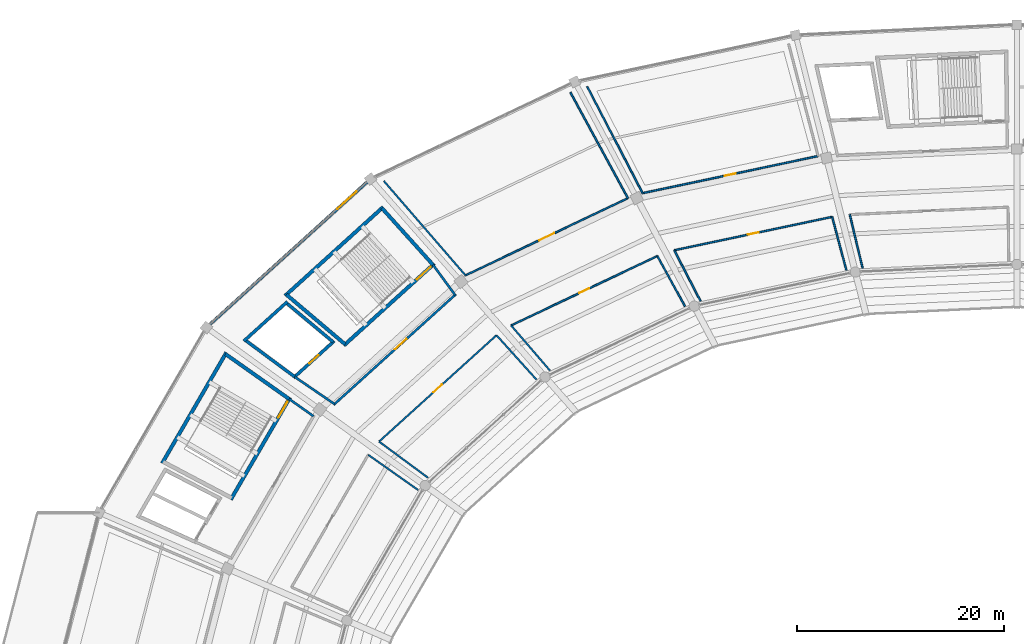
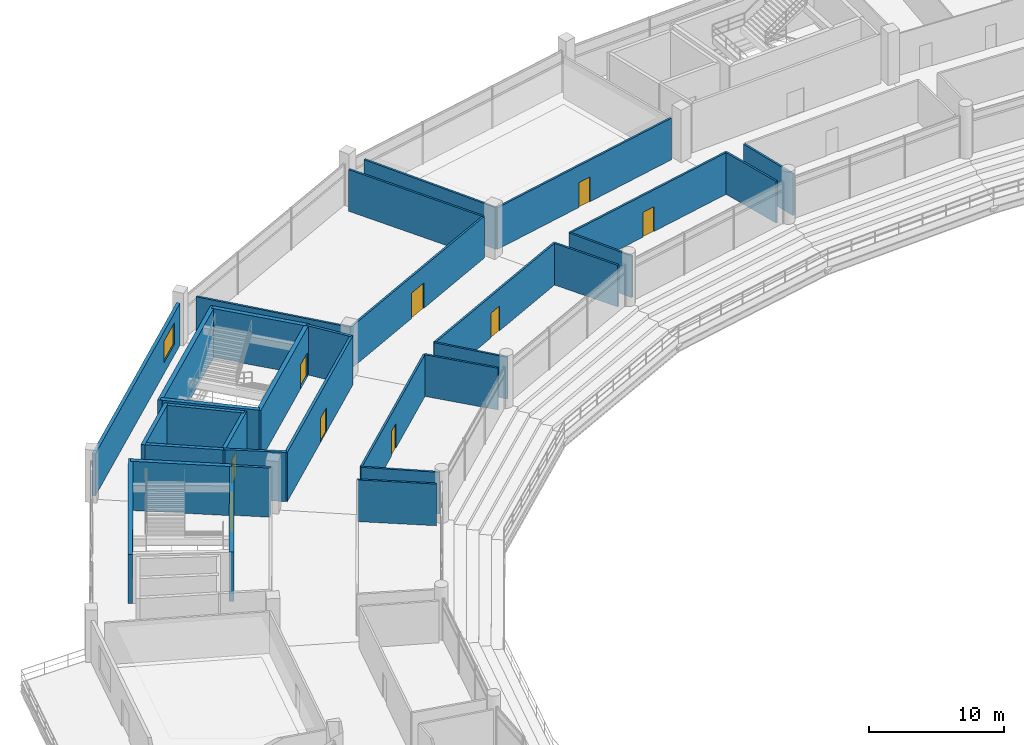
# One storey, part 136 of 171: 32 walls, 9 doors, 1 window, 10 openings.
"""IFC4 building model written with IfcOpenShell, lengths in metres."""

import ifcopenshell
import ifcopenshell.guid

model = None  # the IFC model being written
_history = None  # IfcOwnerHistory: only IFC2X3 demands one
_inside = {}  # id of a spatial element -> (the spatial element, [elements in it])
_under = {}  # id of a project, library or spatial element -> (it, [spatial elements below it])
_declared = {}  # id of a project -> (the project, [libraries it declares])
_typed = {}  # id of a type object -> (the type object, [elements of that type])
_made_of = {}  # id of a material, layer set ... -> (it, [elements and type objects made of it])


def new_model(schema):
    """Start an empty IFC model of exactly this schema.

    Asked for "IFC4X3", IfcOpenShell would pick the latest addendum, in which some entities
    have other attributes; the version numbers below select the first issue.
    IFC2X3 requires an IfcOwnerHistory on every rooted entity: one is made here for all.
    """
    global model, _history
    if schema == "IFC4X3":
        model = ifcopenshell.file(schema_version=(4, 3, 0, 0))
    else:
        model = ifcopenshell.file(schema=schema)
    _inside.clear()
    _under.clear()
    _declared.clear()
    _typed.clear()
    _made_of.clear()
    _history = None
    if model.schema == "IFC2X3":
        org = make("IfcOrganization", Name="unknown")
        user = make(
            "IfcPersonAndOrganization",
            ThePerson=make("IfcPerson", FamilyName="unknown"),
            TheOrganization=org,
        )
        app = make(
            "IfcApplication",
            ApplicationDeveloper=org,
            Version="unknown",
            ApplicationFullName="unknown",
            ApplicationIdentifier="unknown",
        )
        _history = make(
            "IfcOwnerHistory",
            OwningUser=user,
            OwningApplication=app,
            ChangeAction="ADDED",
            CreationDate=0,
        )
    return model


def make(cls, **values):
    """One entity of the class cls with the attributes given. An attribute that is None is left unset."""
    return model.create_entity(
        cls, **{name: value for name, value in values.items() if value is not None}
    )


def rooted(cls, **values):
    """An entity with a GlobalId (a new one), such as an element, a storey or a relation."""
    return make(cls, GlobalId=ifcopenshell.guid.new(), OwnerHistory=_history, **values)


def si_unit(unit_type, name, prefix=None):
    """IfcSIUnit, for example si_unit("LENGTHUNIT", "METRE", prefix="MILLI")."""
    return make("IfcSIUnit", UnitType=unit_type, Prefix=prefix, Name=name)


def assignment(units):
    """IfcUnitAssignment: the units of a project."""
    return None if units is None else make("IfcUnitAssignment", Units=units)


def point(xyz):
    """IfcCartesianPoint."""
    return None if xyz is None else make("IfcCartesianPoint", Coordinates=xyz)


def direction(xyz):
    """IfcDirection."""
    return None if xyz is None else make("IfcDirection", DirectionRatios=xyz)


def frame(location, z_axis=None, x_axis=None):
    """IfcAxis2Placement3D, a coordinate frame: its origin and axes. An axis left out is left unset."""
    return make(
        "IfcAxis2Placement3D",
        Location=point(location),
        Axis=direction(z_axis),
        RefDirection=direction(x_axis),
    )


def frame_2d(location, x_axis=None):
    """IfcAxis2Placement2D, a coordinate frame in the plane: its origin and x axis."""
    return make(
        "IfcAxis2Placement2D", Location=point(location), RefDirection=direction(x_axis)
    )


def origin():
    """The frame at (0, 0, 0) with its axes left unset."""
    return frame((0.0, 0.0, 0.0))


def place(relative_to, where):
    """IfcLocalPlacement: puts the frame where relative to a parent placement (None: the world)."""
    return make(
        "IfcLocalPlacement", PlacementRelTo=relative_to, RelativePlacement=where
    )


def context(
    kind, dimensions, precision=None, world=None, true_north=None, identifier=None
):
    """IfcGeometricRepresentationContext, for example the 3D "Model" context."""
    return make(
        "IfcGeometricRepresentationContext",
        ContextIdentifier=identifier,
        ContextType=kind,
        CoordinateSpaceDimension=dimensions,
        Precision=precision,
        WorldCoordinateSystem=world,
        TrueNorth=true_north,
    )


def subcontext(parent, identifier, kind, view, scale=None):
    """IfcGeometricRepresentationSubContext, for example "Body" below "Model"."""
    return make(
        "IfcGeometricRepresentationSubContext",
        ContextIdentifier=identifier,
        ContextType=kind,
        ParentContext=parent,
        TargetScale=scale,
        TargetView=view,
    )


def project(units=None, contexts=None):
    """IfcProject with its units and contexts."""
    return rooted(
        "IfcProject",
        Name="project",
        RepresentationContexts=contexts,
        UnitsInContext=assignment(units),
    )


def spatial(cls, under=None, at=None, **own):
    """A site, building, storey or space (cls), placed at a placement, below another one or the project."""
    s = rooted(cls, ObjectPlacement=at, **own)
    if under is not None:
        _under.setdefault(under.id(), (under, []))[1].append(s)
    return s


def profile(cls, at=None, kind="AREA", **sizes):
    """A parametric profile (cls). Its sizes go by their IFC names, for example OverallWidth=200.0."""
    return make(cls, ProfileType=kind, Position=at, **sizes)


def rectangle(**sizes):
    """IfcRectangleProfileDef."""
    return profile("IfcRectangleProfileDef", **sizes)


def extrude(swept, where, along, depth):
    """IfcExtrudedAreaSolid: the profile swept, set in the frame where, extruded along a direction by depth."""
    return make(
        "IfcExtrudedAreaSolid",
        SweptArea=swept,
        Position=where,
        ExtrudedDirection=direction(along),
        Depth=depth,
    )


def shape(context_of_items, identifier, shape_type, items):
    """IfcShapeRepresentation: the items that make up one representation, for example the "Body"."""
    return make(
        "IfcShapeRepresentation",
        ContextOfItems=context_of_items,
        RepresentationIdentifier=identifier,
        RepresentationType=shape_type,
        Items=items,
    )


def material(Name=None, Category=None):
    """IfcMaterial."""
    return make("IfcMaterial", Name=Name, Category=Category)


def layer(
    of_material, thickness, ventilated=None, Name=None, Category=None, Priority=None
):
    """IfcMaterialLayer: one layer of a wall or slab, of a material (None: an air gap)."""
    return make(
        "IfcMaterialLayer",
        Material=of_material,
        LayerThickness=thickness,
        IsVentilated=ventilated,
        Name=Name,
        Category=Category,
        Priority=Priority,
    )


def layer_set(layers, Name=None):
    """IfcMaterialLayerSet."""
    return make("IfcMaterialLayerSet", MaterialLayers=layers, LayerSetName=Name)


def made_of(thing, what):
    """Note that an element or type object is made of a material, layer set ...; save() writes the relation."""
    if what is not None:
        _made_of.setdefault(what.id(), (what, []))[1].append(thing)
    return thing


def type_object(cls, material=None, **own):
    """A type object (cls), such as IfcWallType, which elements share."""
    return made_of(rooted(cls, **own), material)


def element(
    cls,
    number,
    at=None,
    inside=None,
    cuts=None,
    type_object=None,
    material=None,
    context=None,
    identifier="Body",
    shape_type=None,
    held_by="IfcProductDefinitionShape",
    body=None,
    shapes=None,
    **own,
):
    """One element of the class cls, such as IfcWall. Its Tag is "e" and its number.

    at: its placement. inside: the storey or other place that contains it. cuts: it is an
    opening in that element (IfcRelVoidsElement). A single representation is given by context,
    identifier, shape_type and body (its items); several are given by shapes. held_by: the class
    of the entity that holds the representations. save() writes the other relations.
    """
    e = rooted(cls, Tag="e%d" % number, ObjectPlacement=at, **own)
    if body is not None:
        shapes = [shape(context, identifier, shape_type, body)]
    if shapes is not None:
        e.Representation = make(held_by, Representations=shapes)
    if inside is not None:
        _inside.setdefault(inside.id(), (inside, []))[1].append(e)
    if cuts is not None:
        rooted(
            "IfcRelVoidsElement", RelatingBuildingElement=cuts, RelatedOpeningElement=e
        )
    if type_object is not None:
        _typed.setdefault(type_object.id(), (type_object, []))[1].append(e)
    return made_of(e, material)


def fill(opening, filler):
    """IfcRelFillsElement: the door or window that sits in an opening."""
    return rooted(
        "IfcRelFillsElement",
        RelatingOpeningElement=opening,
        RelatedBuildingElement=filler,
    )


def aggregate(whole, parts):
    """IfcRelAggregates: a whole, such as a stair, and the parts it consists of."""
    return rooted("IfcRelAggregates", RelatingObject=whole, RelatedObjects=parts)


def save(model, path):
    """Write the relations noted so far, then the file.

    IfcRelAggregates (storeys below a building ...), IfcRelContainedInSpatialStructure (elements
    in a storey), IfcRelDefinesByType, IfcRelAssociatesMaterial and IfcRelDeclares: one each for
    every whole, place, type object, material and project.
    """
    for whole, parts in _under.values():
        aggregate(whole, parts)
    for where, things in _inside.values():
        rooted(
            "IfcRelContainedInSpatialStructure",
            RelatedElements=things,
            RelatingStructure=where,
        )
    for kind, things in _typed.values():
        rooted("IfcRelDefinesByType", RelatedObjects=things, RelatingType=kind)
    for what, things in _made_of.values():
        rooted("IfcRelAssociatesMaterial", RelatedObjects=things, RelatingMaterial=what)
    for by, libraries in _declared.values():
        rooted("IfcRelDeclares", RelatingContext=by, RelatedDefinitions=libraries)
    model.write(path)


model = new_model("IFC4")

# Units and contexts
model_context = context("Model", 3, precision=1e-05, world=origin(), true_north=direction((0.0, 1.0)))
body_context = subcontext(model_context, "Body", "Model", "MODEL_VIEW")
ifc_project = project(units=[si_unit("LENGTHUNIT", "METRE"), si_unit("AREAUNIT", "SQUARE_METRE"), si_unit("VOLUMEUNIT", "CUBIC_METRE"), si_unit("PLANEANGLEUNIT", "RADIAN"), si_unit("MASSUNIT", "GRAM", prefix="KILO")], contexts=[model_context])

# Site, building, storey
site_placement = place(None, origin())
site = spatial("IfcSite", under=ifc_project, at=site_placement, CompositionType="ELEMENT")
building_placement = place(site_placement, origin())
building = spatial("IfcBuilding", under=site, at=building_placement, Name="Kazemori Nagisa Stadium", CompositionType="ELEMENT")
storey_placement = place(building_placement, frame((0.0, 0.0, 15.639892578125)))
storey = spatial("IfcBuildingStorey", under=building, at=storey_placement, Name="L03", CompositionType="ELEMENT", Elevation=15.639892578125)

# Wall, opening, door
ifc_material_1 = material(Name="Concrete C40/50 (Fc42)", Category="concrete")
ifc_layer_1 = layer(ifc_material_1, 0.35009765625, Name="Concrete C40/50 (Fc42)", Category="concrete")
ifc_layer_set_1 = layer_set([ifc_layer_1], Name="Concrete C40/50 (Fc42)")
wall_type_1 = type_object("IfcWallType", Name="Wall_W-CORE-350", PredefinedType="SHEAR", material=ifc_layer_set_1)
wall_1_placement = place(storey_placement, frame((66.583251953125, 164.860107421875, 0.0), z_axis=(0.0, 0.0, 1.0), x_axis=(-0.741348929385, -0.671119784315, 0.0)))
wall_1 = element("IfcWall", 1, at=wall_1_placement, inside=storey, type_object=wall_type_1, Name="Core stair front shear wall ST02 L03", PredefinedType="SHEAR", context=body_context, shape_type="SweptSolid", body=[
    extrude(rectangle(XDim=11.826416015625, YDim=0.35009765625, at=frame_2d((5.9130859375, 0.0))), origin(), (0.0, 0.0, 1.0), 4.460205078125),
])
opening_1_placement = place(wall_1_placement, frame((0.47509765625, 0.0, 0.0)))
opening_1 = element("IfcOpeningElement", 2, at=opening_1_placement, cuts=wall_1, Name="Opening D-ST-1800", PredefinedType="OPENING", context=body_context, shape_type="SweptSolid", body=[
    extrude(rectangle(XDim=1.800048828125, YDim=2.199951171875, at=frame_2d((0.89990234375, 1.10009765625))), frame((0.0, 0.18505859375, 0.0), z_axis=(0.0, -1.0, 0.0), x_axis=(1.0, 0.0, 0.0)), (0.0, 0.0, 1.0), 0.3701171875),
])
ifc_material_2 = material(Name="Galvanised steel sheet", Category="steel")
door_type_1 = type_object("IfcDoorType", Name="Door_D-ST-1800", OperationType="NOTDEFINED", PredefinedType="DOOR", material=ifc_material_2)
door_1_placement = place(opening_1_placement, frame((1.800048828125, 0.0, 0.0), z_axis=(0.0, 0.0, 1.0), x_axis=(-1.0, 0.0, 0.0)))
door_1 = element("IfcDoor", 3, at=door_1_placement, inside=storey, type_object=door_type_1, Name="Exit stair fire door ST02-L03", OperationType="SINGLE_SWING_RIGHT", OverallHeight=2.199951171875, OverallWidth=1.800048828125, PredefinedType="DOOR", context=body_context, shape_type="SweptSolid", body=[
    extrude(rectangle(XDim=1.800048828125, YDim=2.199951171875, at=frame_2d((0.89990234375, 1.10009765625))), frame((0.0, 0.02490234375, 0.0), z_axis=(0.0, -1.0, 0.0), x_axis=(1.0, 0.0, 0.0)), (0.0, 0.0, 1.0), 0.050048828125),
])
fill(opening_1, door_1)

# Walls
wall_2_placement = place(storey_placement, frame((61.638671875, 170.3466796875, 0.0), z_axis=(0.0, 0.0, 1.0), x_axis=(-0.741351373721, -0.671117084183, 0.0)))
element("IfcWall", 4, at=wall_2_placement, inside=storey, type_object=wall_type_1, Name="Core stair rear shear wall ST02 L03", PredefinedType="SHEAR", context=body_context, shape_type="SweptSolid", body=[
    extrude(rectangle(XDim=12.830322265625, YDim=0.35009765625, at=frame_2d((6.4150390625, 0.0))), origin(), (0.0, 0.0, 1.0), 4.460205078125),
])
wall_3_placement = place(storey_placement, frame((66.45361328125, 164.74267578125, 0.0), z_axis=(0.0, 0.0, 1.0), x_axis=(-0.669463145673, 0.742845270958, 0.0)))
element("IfcWall", 5, at=wall_3_placement, inside=storey, type_object=wall_type_1, Name="Core stair left shear wall ST02 L03", PredefinedType="SHEAR", context=body_context, shape_type="SweptSolid", body=[
    extrude(rectangle(XDim=7.385986328125, YDim=0.35009765625, at=frame_2d((3.69287109375, 0.0))), origin(), (0.0, 0.0, 1.0), 4.460205078125),
])
wall_4_placement = place(storey_placement, frame((57.9453125, 157.04052734375, 0.0), z_axis=(0.0, 0.0, 1.0), x_axis=(-0.763422324031, 0.64589964791, 0.0)))
element("IfcWall", 6, at=wall_4_placement, inside=storey, type_object=wall_type_1, Name="Core stair right shear wall ST02 L03", PredefinedType="SHEAR", context=body_context, shape_type="SweptSolid", body=[
    extrude(rectangle(XDim=7.45166015625, YDim=0.35009765625, at=frame_2d((3.725830078125, 0.0))), origin(), (0.0, 0.0, 1.0), 4.460205078125),
])

# Wall, opening, door
wall_5_placement = place(storey_placement, frame((52.6064453125, 151.89990234375, 0.0), z_axis=(0.0, 0.0, 1.0), x_axis=(-0.501587404838, -0.865106973332, 0.0)))
wall_5 = element("IfcWall", 7, at=wall_5_placement, inside=storey, type_object=wall_type_1, Name="Core stair front shear wall ST08 L03", PredefinedType="SHEAR", context=body_context, shape_type="SweptSolid", body=[
    extrude(rectangle(XDim=11.435302734375, YDim=0.35009765625, at=frame_2d((5.7177734375, 0.0))), origin(), (0.0, 0.0, 1.0), 4.460205078125),
])
opening_2_placement = place(wall_5_placement, frame((0.47509765625, 0.0, 0.0)))
opening_2 = element("IfcOpeningElement", 8, at=opening_2_placement, cuts=wall_5, Name="Opening D-ST-1800", PredefinedType="OPENING", context=body_context, shape_type="SweptSolid", body=[
    extrude(rectangle(XDim=1.800048828125, YDim=2.199951171875, at=frame_2d((0.89990234375, 1.10009765625))), frame((0.0, 0.18505859375, 0.0), z_axis=(0.0, -1.0, 0.0), x_axis=(1.0, 0.0, 0.0)), (0.0, 0.0, 1.0), 0.3701171875),
])
door_2_placement = place(opening_2_placement, frame((1.800048828125, 0.0, 0.0), z_axis=(0.0, 0.0, 1.0), x_axis=(-1.0, 0.0, 0.0)))
door_2 = element("IfcDoor", 9, at=door_2_placement, inside=storey, type_object=door_type_1, Name="Exit stair fire door ST08-L03", OperationType="SINGLE_SWING_RIGHT", OverallHeight=2.199951171875, OverallWidth=1.800048828125, PredefinedType="DOOR", context=body_context, shape_type="SweptSolid", body=[
    extrude(rectangle(XDim=1.800048828125, YDim=2.199951171875, at=frame_2d((0.89990234375, 1.10009765625))), frame((0.0, 0.02490234375, 0.0), z_axis=(0.0, -1.0, 0.0), x_axis=(1.0, 0.0, 0.0)), (0.0, 0.0, 1.0), 0.050048828125),
])
fill(opening_2, door_2)

# Walls
wall_6_placement = place(storey_placement, frame((46.443359375, 156.25, 0.0), z_axis=(0.0, 0.0, 1.0), x_axis=(-0.501601740165, -0.865098661577, 0.0)))
element("IfcWall", 10, at=wall_6_placement, inside=storey, type_object=wall_type_1, Name="Core stair rear shear wall ST08 L03", PredefinedType="SHEAR", context=body_context, shape_type="SweptSolid", body=[
    extrude(rectangle(XDim=12.404541015625, YDim=0.35009765625, at=frame_2d((6.2021484375, 0.0))), origin(), (0.0, 0.0, 1.0), 4.460205078125),
])
wall_7_placement = place(storey_placement, frame((52.518798828125, 151.748291015625, 0.0), z_axis=(0.0, 0.0, 1.0), x_axis=(-0.816983109824, 0.576661597701, 0.0)))
element("IfcWall", 11, at=wall_7_placement, inside=storey, type_object=wall_type_1, Name="Core stair left shear wall ST08 L03", PredefinedType="SHEAR", context=body_context, shape_type="SweptSolid", body=[
    extrude(rectangle(XDim=7.5439453125, YDim=0.35009765625, at=frame_2d((3.77197265625, 0.0))), origin(), (0.0, 0.0, 1.0), 4.460205078125),
])

# Wall, opening, window
ifc_material_3 = material(Name="Concrete C40/50 (Fc42) precast", Category="concrete")
ifc_layer_2 = layer(ifc_material_3, 0.27490234375, Name="Concrete C40/50 (Fc42) precast", Category="concrete")
ifc_layer_set_2 = layer_set([ifc_layer_2], Name="Concrete C40/50 (Fc42) precast")
wall_type_2 = type_object("IfcWallType", Name="Wall_W-EXT-275", PredefinedType="SOLIDWALL", material=ifc_layer_set_2)
wall_8_placement = place(storey_placement, frame((60.075927734375, 172.763671875, 0.0), z_axis=(0.0, 0.0, 1.0), x_axis=(-0.741352367697, -0.671115986183, 0.0)))
wall_8 = element("IfcWall", 12, at=wall_8_placement, inside=storey, type_object=wall_type_2, Name="Exterior facade wall L03-11", PredefinedType="SOLIDWALL", context=body_context, shape_type="SweptSolid", body=[
    extrude(rectangle(XDim=20.56396484375, YDim=0.27490234375, at=frame_2d((10.281982421875, 0.0))), origin(), (0.0, 0.0, 1.0), 3.81005859375),
])
opening_3_placement = place(wall_8_placement, frame((1.39990234375, 0.0, 1.0)))
opening_3 = element("IfcOpeningElement", 13, at=opening_3_placement, cuts=wall_8, Name="Opening WIN-L03-2500", PredefinedType="OPENING", context=body_context, shape_type="SweptSolid", body=[
    extrude(rectangle(XDim=2.5, YDim=1.949951171875, at=frame_2d((1.25, 0.97509765625))), frame((0.0, 0.1474609375, 0.0), z_axis=(0.0, -1.0, 0.0), x_axis=(1.0, 0.0, 0.0)), (0.0, 0.0, 1.0), 0.294921875),
])
ifc_material_4 = material(Name="Low-e laminated double glazing", Category="glass")
window_type = type_object("IfcWindowType", Name="Window_WIN-L03-2500", PartitioningType="SINGLE_PANEL", PredefinedType="WINDOW", material=ifc_material_4)
window_placement = place(opening_3_placement, origin())
window = element("IfcWindow", 14, at=window_placement, inside=storey, type_object=window_type, Name="Core lobby window L03-11", OverallHeight=1.949951171875, OverallWidth=2.5, PartitioningType="SINGLE_PANEL", PredefinedType="WINDOW", context=body_context, shape_type="SweptSolid", body=[
    extrude(rectangle(XDim=2.5, YDim=1.949951171875, at=frame_2d((1.25, 0.97509765625))), frame((0.0, 0.030029296875, 0.0), z_axis=(0.0, -1.0, 0.0), x_axis=(1.0, 0.0, 0.0)), (0.0, 0.0, 1.0), 0.06005859375),
])
fill(opening_3, window)

# Wall, opening, door
ifc_material_5 = material(Name="Concrete C36/45 (Fc36)", Category="concrete")
ifc_layer_3 = layer(ifc_material_5, 0.219970703125, Name="Concrete C36/45 (Fc36)", Category="concrete")
ifc_layer_set_3 = layer_set([ifc_layer_3], Name="Concrete C36/45 (Fc36)")
wall_type_3 = type_object("IfcWallType", Name="Wall_W-LOBBY-220", PredefinedType="SOLIDWALL", material=ifc_layer_set_3)
wall_9_placement = place(storey_placement, frame((68.672607421875, 161.89794921875, 0.0), z_axis=(0.0, 0.0, 1.0), x_axis=(-0.741351035574, -0.671117457717, 0.0)))
wall_9 = element("IfcWall", 15, at=wall_9_placement, inside=storey, type_object=wall_type_3, Name="Core lobby fire wall ST02 L03", PredefinedType="SOLIDWALL", context=body_context, shape_type="SweptSolid", body=[
    extrude(rectangle(XDim=15.96923828125, YDim=0.219970703125, at=frame_2d((7.984619140625, 0.0))), origin(), (0.0, 0.0, 1.0), 4.460205078125),
])
opening_4_placement = place(wall_9_placement, frame((6.447021484375, 0.0, 0.0)))
opening_4 = element("IfcOpeningElement", 16, at=opening_4_placement, cuts=wall_9, Name="Opening D-FFL-1500", PredefinedType="OPENING", context=body_context, shape_type="SweptSolid", body=[
    extrude(rectangle(XDim=1.5, YDim=2.199951171875, at=frame_2d((0.75, 1.10009765625))), frame((0.0, 0.119873046875, 0.0), z_axis=(0.0, -1.0, 0.0), x_axis=(1.0, 0.0, 0.0)), (0.0, 0.0, 1.0), 0.239990234375),
])
door_type_2 = type_object("IfcDoorType", Name="Door_D-FFL-1500", OperationType="NOTDEFINED", PredefinedType="DOOR", material=ifc_material_2)
door_3_placement = place(opening_4_placement, frame((1.5, 0.0, 0.0), z_axis=(0.0, 0.0, 1.0), x_axis=(-1.0, 0.0, 0.0)))
door_3 = element("IfcDoor", 17, at=door_3_placement, inside=storey, type_object=door_type_2, Name="Protected lobby fire door ST02-L03", OperationType="DOUBLE_DOOR_SINGLE_SWING", OverallHeight=2.199951171875, OverallWidth=1.5, PredefinedType="DOOR", context=body_context, shape_type="SweptSolid", body=[
    extrude(rectangle(XDim=1.5, YDim=2.199951171875, at=frame_2d((0.75, 1.10009765625))), frame((0.0, 0.02490234375, 0.0), z_axis=(0.0, -1.0, 0.0), x_axis=(1.0, 0.0, 0.0)), (0.0, 0.0, 1.0), 0.050048828125),
])
fill(opening_4, door_3)

# Walls
wall_10_placement = place(storey_placement, frame((68.591064453125, 161.823974609375, 0.0), z_axis=(0.0, 0.0, 1.0), x_axis=(-0.590836915359, 0.806791013491, 0.0)))
element("IfcWall", 18, at=wall_10_placement, inside=storey, type_object=wall_type_3, Name="Core lobby left wall ST02 L03", PredefinedType="SOLIDWALL", context=body_context, shape_type="SweptSolid", body=[
    extrude(rectangle(XDim=3.61767578125, YDim=0.219970703125, at=frame_2d((1.808837890625, 0.0))), origin(), (0.0, 0.0, 1.0), 4.460205078125),
])
wall_11_placement = place(storey_placement, frame((56.915283203125, 151.25439453125, 0.0), z_axis=(0.0, 0.0, 1.0), x_axis=(-0.825385410642, 0.564569680287, 0.0)))
element("IfcWall", 19, at=wall_11_placement, inside=storey, type_object=wall_type_3, Name="Core lobby right wall ST02 L03", PredefinedType="SOLIDWALL", context=body_context, shape_type="SweptSolid", body=[
    extrude(rectangle(XDim=4.673828125, YDim=0.219970703125, at=frame_2d((2.3369140625, 0.0))), origin(), (0.0, 0.0, 1.0), 4.460205078125),
])
wall_12_placement = place(storey_placement, frame((54.88916015625, 150.0751953125, 0.0), z_axis=(0.0, 0.0, 1.0), x_axis=(-0.816984187086, 0.57666007149, 0.0)))
element("IfcWall", 20, at=wall_12_placement, inside=storey, type_object=wall_type_3, Name="Core lobby left wall ST08 L03", PredefinedType="SOLIDWALL", context=body_context, shape_type="SweptSolid", body=[
    extrude(rectangle(XDim=2.9013671875, YDim=0.219970703125, at=frame_2d((1.45068359375, 0.0))), origin(), (0.0, 0.0, 1.0), 4.460205078125),
])

# Wall, opening, door
ifc_material_6 = material(Name="Gypsum plasterboard", Category="gypsum")
ifc_layer_4 = layer(ifc_material_6, 0.1650390625, Name="Gypsum plasterboard", Category="gypsum")
ifc_layer_set_4 = layer_set([ifc_layer_4], Name="Gypsum plasterboard")
wall_type_4 = type_object("IfcWallType", Name="Wall_W-PART-165", PredefinedType="PARTITIONING", material=ifc_layer_set_4)
wall_13_placement = place(storey_placement, frame((103.747802734375, 175.272216796875, 0.0), z_axis=(0.0, 0.0, 1.0), x_axis=(-0.978347075804, -0.206971010692, 0.0)))
wall_13 = element("IfcWall", 21, at=wall_13_placement, inside=storey, type_object=wall_type_4, Name="Room corridor partition L03-B09", PredefinedType="PARTITIONING", context=body_context, shape_type="SweptSolid", body=[
    extrude(rectangle(XDim=17.3681640625, YDim=0.1650390625, at=frame_2d((8.68408203125, 0.0))), origin(), (0.0, 0.0, 1.0), 3.780029296875),
])
opening_5_placement = place(wall_13_placement, frame((8.134033203125, 0.0, 0.0)))
opening_5 = element("IfcOpeningElement", 22, at=opening_5_placement, cuts=wall_13, Name="Opening D-SUI-1100", PredefinedType="OPENING", context=body_context, shape_type="SweptSolid", body=[
    extrude(rectangle(XDim=1.10009765625, YDim=2.25, at=frame_2d((0.550048828125, 1.125))), frame((0.0, 0.092529296875, 0.0), z_axis=(0.0, -1.0, 0.0), x_axis=(1.0, 0.0, 0.0)), (0.0, 0.0, 1.0), 0.18505859375),
])
ifc_material_7 = material(Name="Oak timber veneer", Category="wood")
door_type_3 = type_object("IfcDoorType", Name="Door_D-SUI-1100", OperationType="NOTDEFINED", PredefinedType="DOOR", material=ifc_material_7)
door_4_placement = place(opening_5_placement, origin())
door_4 = element("IfcDoor", 23, at=door_4_placement, inside=storey, type_object=door_type_3, Name="Room entrance door D-SUI-1100 L03-B09", OperationType="SINGLE_SWING_LEFT", OverallHeight=2.25, OverallWidth=1.10009765625, PredefinedType="DOOR", context=body_context, shape_type="SweptSolid", body=[
    extrude(rectangle(XDim=1.10009765625, YDim=2.25, at=frame_2d((0.550048828125, 1.125))), frame((0.0, 0.02490234375, 0.0), z_axis=(0.0, -1.0, 0.0), x_axis=(1.0, 0.0, 0.0)), (0.0, 0.0, 1.0), 0.050048828125),
])
fill(opening_5, door_4)

# Wall
wall_14_placement = place(storey_placement, frame((86.755615234375, 171.677490234375, 0.0), z_axis=(0.0, 0.0, 1.0), x_axis=(-0.46148287956, 0.88714911479, 0.0)))
element("IfcWall", 24, at=wall_14_placement, inside=storey, type_object=wall_type_4, Name="Room radial partition L03-B09-R", PredefinedType="PARTITIONING", context=body_context, shape_type="SweptSolid", body=[
    extrude(rectangle(XDim=11.635498046875, YDim=0.1650390625, at=frame_2d((5.81787109375, 0.0))), origin(), (0.0, 0.0, 1.0), 3.780029296875),
])

# Wall, opening, door
wall_15_placement = place(storey_placement, frame((85.332763671875, 171.196044921875, 0.0), z_axis=(0.0, 0.0, 1.0), x_axis=(-0.903217202186, -0.429183743488, 0.0)))
wall_15 = element("IfcWall", 25, at=wall_15_placement, inside=storey, type_object=wall_type_4, Name="Room corridor partition L03-B10", PredefinedType="PARTITIONING", context=body_context, shape_type="SweptSolid", body=[
    extrude(rectangle(XDim=17.419189453125, YDim=0.1650390625, at=frame_2d((8.70947265625, 0.0))), origin(), (0.0, 0.0, 1.0), 3.780029296875),
])
opening_6_placement = place(wall_15_placement, frame((7.909912109375, 0.0, 0.0)))
opening_6 = element("IfcOpeningElement", 26, at=opening_6_placement, cuts=wall_15, Name="Opening D-LNG-1600", PredefinedType="OPENING", context=body_context, shape_type="SweptSolid", body=[
    extrude(rectangle(XDim=1.60009765625, YDim=2.300048828125, at=frame_2d((0.800048828125, 1.14990234375))), frame((0.0, 0.092529296875, 0.0), z_axis=(0.0, -1.0, 0.0), x_axis=(1.0, 0.0, 0.0)), (0.0, 0.0, 1.0), 0.18505859375),
])
ifc_material_8 = material(Name="Anodised aluminium 6063-T5", Category="aluminium")
door_type_4 = type_object("IfcDoorType", Name="Door_D-LNG-1600", OperationType="NOTDEFINED", PredefinedType="DOOR", material=ifc_material_8)
door_5_placement = place(opening_6_placement, origin())
door_5 = element("IfcDoor", 27, at=door_5_placement, inside=storey, type_object=door_type_4, Name="Room entrance door D-LNG-1600 L03-B10", OperationType="DOUBLE_DOOR_SINGLE_SWING", OverallHeight=2.300048828125, OverallWidth=1.60009765625, PredefinedType="DOOR", context=body_context, shape_type="SweptSolid", body=[
    extrude(rectangle(XDim=1.60009765625, YDim=2.300048828125, at=frame_2d((0.800048828125, 1.14990234375))), frame((0.0, 0.02490234375, 0.0), z_axis=(0.0, -1.0, 0.0), x_axis=(1.0, 0.0, 0.0)), (0.0, 0.0, 1.0), 0.050048828125),
])
fill(opening_6, door_5)

# Walls
wall_16_placement = place(storey_placement, frame((85.332763671875, 171.196044921875, 0.0), z_axis=(0.0, 0.0, 1.0), x_axis=(-0.478125060974, 0.878291765912, 0.0)))
element("IfcWall", 28, at=wall_16_placement, inside=storey, type_object=wall_type_4, Name="Room radial partition L03-B10-L", PredefinedType="PARTITIONING", context=body_context, shape_type="SweptSolid", body=[
    extrude(rectangle(XDim=11.671875, YDim=0.1650390625, at=frame_2d((5.8359375, 0.0))), origin(), (0.0, 0.0, 1.0), 3.780029296875),
])
wall_17_placement = place(storey_placement, frame((69.599365234375, 163.719970703125, 0.0), z_axis=(0.0, 0.0, 1.0), x_axis=(-0.654293035882, 0.756241114458, 0.0)))
element("IfcWall", 29, at=wall_17_placement, inside=storey, type_object=wall_type_4, Name="Room radial partition L03-B10-R", PredefinedType="PARTITIONING", context=body_context, shape_type="SweptSolid", body=[
    extrude(rectangle(XDim=12.091064453125, YDim=0.1650390625, at=frame_2d((6.04541015625, 0.0))), origin(), (0.0, 0.0, 1.0), 3.780029296875),
])
wall_18_placement = place(storey_placement, frame((106.816650390625, 169.604736328125, 0.0), z_axis=(0.0, 0.0, 1.0), x_axis=(0.232841451619, -0.972514708582, 0.0)))
element("IfcWall", 30, at=wall_18_placement, inside=storey, type_object=wall_type_4, Name="Bowl hospitality suite divider L03-B08R", PredefinedType="PARTITIONING", context=body_context, shape_type="SweptSolid", body=[
    extrude(rectangle(XDim=5.333740234375, YDim=0.1650390625, at=frame_2d((2.6669921875, 0.0))), origin(), (0.0, 0.0, 1.0), 3.780029296875),
])

# Wall, opening, door
wall_19_placement = place(storey_placement, frame((105.115234375, 169.384765625, 0.0), z_axis=(0.0, 0.0, 1.0), x_axis=(-0.978345507247, -0.206978425083, 0.0)))
wall_19 = element("IfcWall", 31, at=wall_19_placement, inside=storey, type_object=wall_type_4, Name="Bowl hospitality suite partition L03-B09", PredefinedType="PARTITIONING", context=body_context, shape_type="SweptSolid", body=[
    extrude(rectangle(XDim=15.6337890625, YDim=0.1650390625, at=frame_2d((7.81689453125, 0.0))), origin(), (0.0, 0.0, 1.0), 3.780029296875),
])
opening_7_placement = place(wall_19_placement, frame((7.26708984375, 0.0, 0.0)))
opening_7 = element("IfcOpeningElement", 32, at=opening_7_placement, cuts=wall_19, Name="Opening D-SUI-1100", PredefinedType="OPENING", context=body_context, shape_type="SweptSolid", body=[
    extrude(rectangle(XDim=1.10009765625, YDim=2.25, at=frame_2d((0.550048828125, 1.125))), frame((0.0, 0.092529296875, 0.0), z_axis=(0.0, -1.0, 0.0), x_axis=(1.0, 0.0, 0.0)), (0.0, 0.0, 1.0), 0.18505859375),
])
door_6_placement = place(opening_7_placement, origin())
door_6 = element("IfcDoor", 33, at=door_6_placement, inside=storey, type_object=door_type_3, Name="Bowl hospitality suite door L03-B09", OperationType="SINGLE_SWING_LEFT", OverallHeight=2.25, OverallWidth=1.10009765625, PredefinedType="DOOR", context=body_context, shape_type="SweptSolid", body=[
    extrude(rectangle(XDim=1.10009765625, YDim=2.25, at=frame_2d((0.550048828125, 1.125))), frame((0.0, 0.02490234375, 0.0), z_axis=(0.0, -1.0, 0.0), x_axis=(1.0, 0.0, 0.0)), (0.0, 0.0, 1.0), 0.050048828125),
])
fill(opening_7, door_6)

# Walls
wall_20_placement = place(storey_placement, frame((105.115234375, 169.384765625, 0.0), z_axis=(0.0, 0.0, 1.0), x_axis=(0.25653476524, -0.966535004138, 0.0)))
element("IfcWall", 34, at=wall_20_placement, inside=storey, type_object=wall_type_4, Name="Bowl hospitality suite divider L03-B09L", PredefinedType="PARTITIONING", context=body_context, shape_type="SweptSolid", body=[
    extrude(rectangle(XDim=5.349365234375, YDim=0.1650390625, at=frame_2d((2.6748046875, 0.0))), origin(), (0.0, 0.0, 1.0), 3.780029296875),
])
wall_21_placement = place(storey_placement, frame((89.820068359375, 166.14892578125, 0.0), z_axis=(0.0, 0.0, 1.0), x_axis=(0.459419323279, -0.888219502937, 0.0)))
element("IfcWall", 35, at=wall_21_placement, inside=storey, type_object=wall_type_4, Name="Bowl hospitality suite divider L03-B09R", PredefinedType="PARTITIONING", context=body_context, shape_type="SweptSolid", body=[
    extrude(rectangle(XDim=5.54150390625, YDim=0.1650390625, at=frame_2d((2.770751953125, 0.0))), origin(), (0.0, 0.0, 1.0), 3.780029296875),
])

# Wall, opening, door
wall_22_placement = place(storey_placement, frame((88.183349609375, 165.59521484375, 0.0), z_axis=(0.0, 0.0, 1.0), x_axis=(-0.903213075216, -0.42919242859, 0.0)))
wall_22 = element("IfcWall", 36, at=wall_22_placement, inside=storey, type_object=wall_type_4, Name="Bowl hospitality suite partition L03-B10", PredefinedType="PARTITIONING", context=body_context, shape_type="SweptSolid", body=[
    extrude(rectangle(XDim=15.679443359375, YDim=0.1650390625, at=frame_2d((7.83984375, 0.0))), origin(), (0.0, 0.0, 1.0), 3.780029296875),
])
opening_8_placement = place(wall_22_placement, frame((7.2900390625, 0.0, 0.0)))
opening_8 = element("IfcOpeningElement", 37, at=opening_8_placement, cuts=wall_22, Name="Opening D-SUI-1100", PredefinedType="OPENING", context=body_context, shape_type="SweptSolid", body=[
    extrude(rectangle(XDim=1.10009765625, YDim=2.25, at=frame_2d((0.550048828125, 1.125))), frame((0.0, 0.092529296875, 0.0), z_axis=(0.0, -1.0, 0.0), x_axis=(1.0, 0.0, 0.0)), (0.0, 0.0, 1.0), 0.18505859375),
])
door_7_placement = place(opening_8_placement, origin())
door_7 = element("IfcDoor", 38, at=door_7_placement, inside=storey, type_object=door_type_3, Name="Bowl hospitality suite door L03-B10", OperationType="SINGLE_SWING_RIGHT", OverallHeight=2.25, OverallWidth=1.10009765625, PredefinedType="DOOR", context=body_context, shape_type="SweptSolid", body=[
    extrude(rectangle(XDim=1.10009765625, YDim=2.25, at=frame_2d((0.550048828125, 1.125))), frame((0.0, 0.02490234375, 0.0), z_axis=(0.0, -1.0, 0.0), x_axis=(1.0, 0.0, 0.0)), (0.0, 0.0, 1.0), 0.050048828125),
])
fill(opening_8, door_7)

# Walls
wall_23_placement = place(storey_placement, frame((88.183349609375, 165.59521484375, 0.0), z_axis=(0.0, 0.0, 1.0), x_axis=(0.480238256952, -0.877138082949, 0.0)))
element("IfcWall", 39, at=wall_23_placement, inside=storey, type_object=wall_type_4, Name="Bowl hospitality suite divider L03-B10L", PredefinedType="PARTITIONING", context=body_context, shape_type="SweptSolid", body=[
    extrude(rectangle(XDim=5.563232421875, YDim=0.1650390625, at=frame_2d((2.78173828125, 0.0))), origin(), (0.0, 0.0, 1.0), 3.780029296875),
])
wall_24_placement = place(storey_placement, frame((74.021484375, 158.86572265625, 0.0), z_axis=(0.0, 0.0, 1.0), x_axis=(0.652601574789, -0.757701250219, 0.0)))
element("IfcWall", 40, at=wall_24_placement, inside=storey, type_object=wall_type_4, Name="Bowl hospitality suite divider L03-B10R", PredefinedType="PARTITIONING", context=body_context, shape_type="SweptSolid", body=[
    extrude(rectangle(XDim=5.758544921875, YDim=0.1650390625, at=frame_2d((2.87939453125, 0.0))), origin(), (0.0, 0.0, 1.0), 3.780029296875),
])

# Wall, opening, door
wall_25_placement = place(storey_placement, frame((72.602783203125, 157.919921875, 0.0), z_axis=(0.0, 0.0, 1.0), x_axis=(-0.741351792112, -0.671116622006, 0.0)))
wall_25 = element("IfcWall", 41, at=wall_25_placement, inside=storey, type_object=wall_type_4, Name="Bowl hospitality suite partition L03-B11", PredefinedType="PARTITIONING", context=body_context, shape_type="SweptSolid", body=[
    extrude(rectangle(XDim=15.34326171875, YDim=0.1650390625, at=frame_2d((7.671630859375, 0.0))), origin(), (0.0, 0.0, 1.0), 3.780029296875),
])
opening_9_placement = place(wall_25_placement, frame((7.1220703125, 0.0, 0.0)))
opening_9 = element("IfcOpeningElement", 42, at=opening_9_placement, cuts=wall_25, Name="Opening D-SUI-1100", PredefinedType="OPENING", context=body_context, shape_type="SweptSolid", body=[
    extrude(rectangle(XDim=1.10009765625, YDim=2.25, at=frame_2d((0.550048828125, 1.125))), frame((0.0, 0.092529296875, 0.0), z_axis=(0.0, -1.0, 0.0), x_axis=(1.0, 0.0, 0.0)), (0.0, 0.0, 1.0), 0.18505859375),
])
door_8_placement = place(opening_9_placement, origin())
door_8 = element("IfcDoor", 43, at=door_8_placement, inside=storey, type_object=door_type_3, Name="Bowl hospitality suite door L03-B11", OperationType="SINGLE_SWING_LEFT", OverallHeight=2.25, OverallWidth=1.10009765625, PredefinedType="DOOR", context=body_context, shape_type="SweptSolid", body=[
    extrude(rectangle(XDim=1.10009765625, YDim=2.25, at=frame_2d((0.550048828125, 1.125))), frame((0.0, 0.02490234375, 0.0), z_axis=(0.0, -1.0, 0.0), x_axis=(1.0, 0.0, 0.0)), (0.0, 0.0, 1.0), 0.050048828125),
])
fill(opening_9, door_8)

# Walls
wall_26_placement = place(storey_placement, frame((72.602783203125, 157.919921875, 0.0), z_axis=(0.0, 0.0, 1.0), x_axis=(0.669466645314, -0.742842117015, 0.0)))
element("IfcWall", 44, at=wall_26_placement, inside=storey, type_object=wall_type_4, Name="Bowl hospitality suite divider L03-B11L", PredefinedType="PARTITIONING", context=body_context, shape_type="SweptSolid", body=[
    extrude(rectangle(XDim=5.776123046875, YDim=0.1650390625, at=frame_2d((2.88818359375, 0.0))), origin(), (0.0, 0.0, 1.0), 3.780029296875),
])
wall_27_placement = place(storey_placement, frame((61.22802734375, 147.622802734375, 0.0), z_axis=(0.0, 0.0, 1.0), x_axis=(0.804403413526, -0.594083452309, 0.0)))
element("IfcWall", 45, at=wall_27_placement, inside=storey, type_object=wall_type_4, Name="Bowl hospitality suite divider L03-B11R", PredefinedType="PARTITIONING", context=body_context, shape_type="SweptSolid", body=[
    extrude(rectangle(XDim=5.892333984375, YDim=0.1650390625, at=frame_2d((2.9462890625, 0.0))), origin(), (0.0, 0.0, 1.0), 3.780029296875),
])
wall_28_placement = place(storey_placement, frame((60.18310546875, 146.338623046875, 0.0), z_axis=(0.0, 0.0, 1.0), x_axis=(0.816991945923, -0.576649078987, 0.0)))
element("IfcWall", 46, at=wall_28_placement, inside=storey, type_object=wall_type_4, Name="Bowl hospitality suite divider L03-B12L", PredefinedType="PARTITIONING", context=body_context, shape_type="SweptSolid", body=[
    extrude(rectangle(XDim=5.899658203125, YDim=0.1650390625, at=frame_2d((2.94970703125, 0.0))), origin(), (0.0, 0.0, 1.0), 3.780029296875),
])

# Wall, opening, door
ifc_layer_5 = layer(ifc_material_1, 0.300048828125, Name="Concrete C40/50 (Fc42)", Category="concrete")
ifc_layer_set_5 = layer_set([ifc_layer_5], Name="Concrete C40/50 (Fc42)")
wall_type_5 = type_object("IfcWallType", Name="Wall_W-SHAFT-300", PredefinedType="SHEAR", material=ifc_layer_set_5)
wall_29_placement = place(storey_placement, frame((56.89697265625, 157.368896484375, 0.0), z_axis=(0.0, 0.0, 1.0), x_axis=(-0.741350155641, -0.671118429736, 0.0)))
wall_29 = element("IfcWall", 47, at=wall_29_placement, inside=storey, type_object=wall_type_5, Name="Lift shaft front wall FL2 L03", PredefinedType="SHEAR", context=body_context, shape_type="SweptSolid", body=[
    extrude(rectangle(XDim=5.3291015625, YDim=0.300048828125, at=frame_2d((2.66455078125, 0.0))), origin(), (0.0, 0.0, 1.0), 4.460205078125),
])
opening_10_placement = place(wall_29_placement, frame((2.06494140625, 0.0, 0.0)))
opening_10 = element("IfcOpeningElement", 48, at=opening_10_placement, cuts=wall_29, Name="Opening LD-FF", PredefinedType="OPENING", context=body_context, shape_type="SweptSolid", body=[
    extrude(rectangle(XDim=1.199951171875, YDim=2.199951171875, at=frame_2d((0.60009765625, 1.10009765625))), frame((0.0, 0.159912109375, 0.0), z_axis=(0.0, -1.0, 0.0), x_axis=(1.0, 0.0, 0.0)), (0.0, 0.0, 1.0), 0.320068359375),
])
ifc_material_9 = material(Name="Stainless steel SUS304", Category="steel")
door_type_5 = type_object("IfcDoorType", Name="Door_LD-FF", OperationType="SLIDING_TO_LEFT", PredefinedType="DOOR", material=ifc_material_9)
door_9_placement = place(opening_10_placement, origin())
door_9 = element("IfcDoor", 49, at=door_9_placement, inside=storey, type_object=door_type_5, Name="Lift landing door FL2-L03", OperationType="SLIDING_TO_LEFT", OverallHeight=2.199951171875, OverallWidth=1.199951171875, PredefinedType="DOOR", context=body_context, shape_type="SweptSolid", body=[
    extrude(rectangle(XDim=1.199951171875, YDim=2.199951171875, at=frame_2d((0.60009765625, 1.10009765625))), frame((0.0, 0.02490234375, 0.0), z_axis=(0.0, -1.0, 0.0), x_axis=(1.0, 0.0, 0.0)), (0.0, 0.0, 1.0), 0.050048828125),
])
fill(opening_10, door_9)

# Walls
wall_30_placement = place(storey_placement, frame((52.345703125, 161.167724609375, 0.0), z_axis=(0.0, 0.0, 1.0), x_axis=(-0.74134208775, -0.671127341815, 0.0)))
element("IfcWall", 50, at=wall_30_placement, inside=storey, type_object=wall_type_5, Name="Lift shaft B wall FL2 L03", PredefinedType="SHEAR", context=body_context, shape_type="SweptSolid", body=[
    extrude(rectangle(XDim=5.674560546875, YDim=0.300048828125, at=frame_2d((2.83740234375, 0.0))), origin(), (0.0, 0.0, 1.0), 4.460205078125),
])
wall_31_placement = place(storey_placement, frame((56.785888671875, 157.26806640625, 0.0), z_axis=(0.0, 0.0, 1.0), x_axis=(-0.767711354146, 0.640795815151, 0.0)))
element("IfcWall", 51, at=wall_31_placement, inside=storey, type_object=wall_type_5, Name="Lift shaft L wall FL2 L03", PredefinedType="SHEAR", context=body_context, shape_type="SweptSolid", body=[
    extrude(rectangle(XDim=5.9287109375, YDim=0.300048828125, at=frame_2d((2.96435546875, 0.0))), origin(), (0.0, 0.0, 1.0), 4.460205078125),
])
wall_32_placement = place(storey_placement, frame((53.0576171875, 153.89306640625, 0.0), z_axis=(0.0, 0.0, 1.0), x_axis=(-0.803101805449, 0.59584183311, 0.0)))
element("IfcWall", 52, at=wall_32_placement, inside=storey, type_object=wall_type_5, Name="Lift shaft R wall FL2 L03", PredefinedType="SHEAR", context=body_context, shape_type="SweptSolid", body=[
    extrude(rectangle(XDim=5.986328125, YDim=0.300048828125, at=frame_2d((2.9931640625, 0.0))), origin(), (0.0, 0.0, 1.0), 4.460205078125),
])

save(model, "model.ifc")
